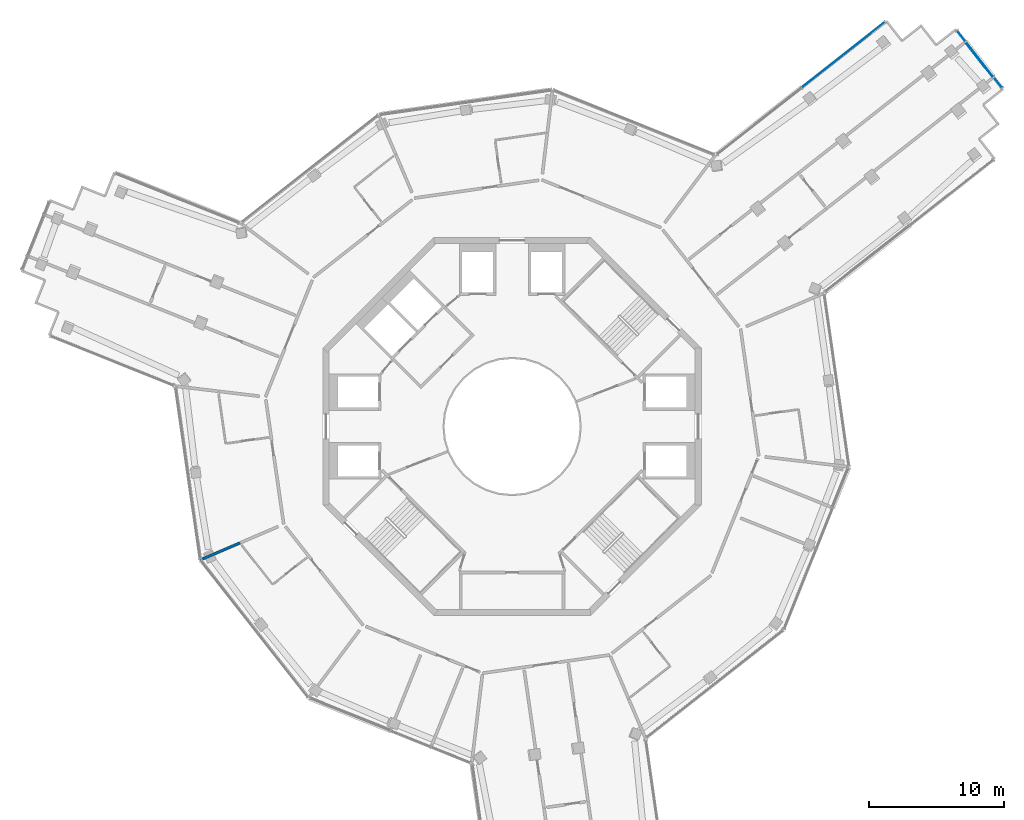
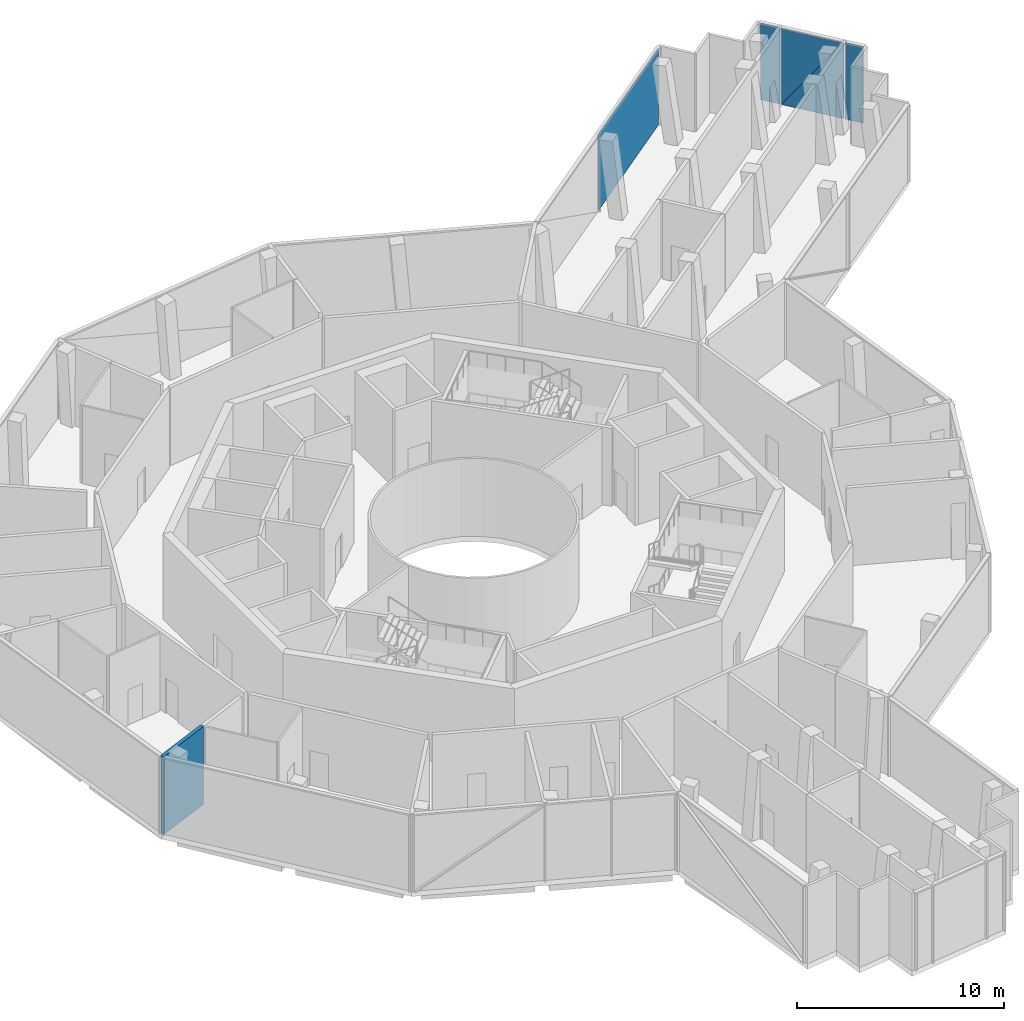
# One storey, part 9 of 19: 5 plates, 1 wall, 2 elements without a shape of their own.
"""IFC4 building model written with IfcOpenShell, lengths in metres."""

import ifcopenshell
import ifcopenshell.guid

model = None  # the IFC model being written
_history = None  # IfcOwnerHistory: only IFC2X3 demands one
_inside = {}  # id of a spatial element -> (the spatial element, [elements in it])
_under = {}  # id of a project, library or spatial element -> (it, [spatial elements below it])
_declared = {}  # id of a project -> (the project, [libraries it declares])
_typed = {}  # id of a type object -> (the type object, [elements of that type])
_made_of = {}  # id of a material, layer set ... -> (it, [elements and type objects made of it])


def new_model(schema):
    """Start an empty IFC model of exactly this schema.

    Asked for "IFC4X3", IfcOpenShell would pick the latest addendum, in which some entities
    have other attributes; the version numbers below select the first issue.
    IFC2X3 requires an IfcOwnerHistory on every rooted entity: one is made here for all.
    """
    global model, _history
    if schema == "IFC4X3":
        model = ifcopenshell.file(schema_version=(4, 3, 0, 0))
    else:
        model = ifcopenshell.file(schema=schema)
    _inside.clear()
    _under.clear()
    _declared.clear()
    _typed.clear()
    _made_of.clear()
    _history = None
    if model.schema == "IFC2X3":
        org = make("IfcOrganization", Name="unknown")
        user = make(
            "IfcPersonAndOrganization",
            ThePerson=make("IfcPerson", FamilyName="unknown"),
            TheOrganization=org,
        )
        app = make(
            "IfcApplication",
            ApplicationDeveloper=org,
            Version="unknown",
            ApplicationFullName="unknown",
            ApplicationIdentifier="unknown",
        )
        _history = make(
            "IfcOwnerHistory",
            OwningUser=user,
            OwningApplication=app,
            ChangeAction="ADDED",
            CreationDate=0,
        )
    return model


def make(cls, **values):
    """One entity of the class cls with the attributes given. An attribute that is None is left unset."""
    return model.create_entity(
        cls, **{name: value for name, value in values.items() if value is not None}
    )


def rooted(cls, **values):
    """An entity with a GlobalId (a new one), such as an element, a storey or a relation."""
    return make(cls, GlobalId=ifcopenshell.guid.new(), OwnerHistory=_history, **values)


def si_unit(unit_type, name, prefix=None):
    """IfcSIUnit, for example si_unit("LENGTHUNIT", "METRE", prefix="MILLI")."""
    return make("IfcSIUnit", UnitType=unit_type, Prefix=prefix, Name=name)


def assignment(units):
    """IfcUnitAssignment: the units of a project."""
    return None if units is None else make("IfcUnitAssignment", Units=units)


def point(xyz):
    """IfcCartesianPoint."""
    return None if xyz is None else make("IfcCartesianPoint", Coordinates=xyz)


def direction(xyz):
    """IfcDirection."""
    return None if xyz is None else make("IfcDirection", DirectionRatios=xyz)


def frame(location, z_axis=None, x_axis=None):
    """IfcAxis2Placement3D, a coordinate frame: its origin and axes. An axis left out is left unset."""
    return make(
        "IfcAxis2Placement3D",
        Location=point(location),
        Axis=direction(z_axis),
        RefDirection=direction(x_axis),
    )


def frame_2d(location, x_axis=None):
    """IfcAxis2Placement2D, a coordinate frame in the plane: its origin and x axis."""
    return make(
        "IfcAxis2Placement2D", Location=point(location), RefDirection=direction(x_axis)
    )


def origin():
    """The frame at (0, 0, 0) with its axes left unset."""
    return frame((0.0, 0.0, 0.0))


def origin_2d():
    """The frame at (0, 0) in the plane with its x axis left unset."""
    return frame_2d((0.0, 0.0))


def place(relative_to, where):
    """IfcLocalPlacement: puts the frame where relative to a parent placement (None: the world)."""
    return make(
        "IfcLocalPlacement", PlacementRelTo=relative_to, RelativePlacement=where
    )


def context(
    kind, dimensions, precision=None, world=None, true_north=None, identifier=None
):
    """IfcGeometricRepresentationContext, for example the 3D "Model" context."""
    return make(
        "IfcGeometricRepresentationContext",
        ContextIdentifier=identifier,
        ContextType=kind,
        CoordinateSpaceDimension=dimensions,
        Precision=precision,
        WorldCoordinateSystem=world,
        TrueNorth=true_north,
    )


def subcontext(parent, identifier, kind, view, scale=None):
    """IfcGeometricRepresentationSubContext, for example "Body" below "Model"."""
    return make(
        "IfcGeometricRepresentationSubContext",
        ContextIdentifier=identifier,
        ContextType=kind,
        ParentContext=parent,
        TargetScale=scale,
        TargetView=view,
    )


def project(units=None, contexts=None):
    """IfcProject with its units and contexts."""
    return rooted(
        "IfcProject",
        Name="project",
        RepresentationContexts=contexts,
        UnitsInContext=assignment(units),
    )


def spatial(cls, under=None, at=None, **own):
    """A site, building, storey or space (cls), placed at a placement, below another one or the project."""
    s = rooted(cls, ObjectPlacement=at, **own)
    if under is not None:
        _under.setdefault(under.id(), (under, []))[1].append(s)
    return s


def polyline(points):
    """IfcPolyline through the points."""
    return make("IfcPolyline", Points=[point(p) for p in points])


def profile(cls, at=None, kind="AREA", **sizes):
    """A parametric profile (cls). Its sizes go by their IFC names, for example OverallWidth=200.0."""
    return make(cls, ProfileType=kind, Position=at, **sizes)


def rectangle(**sizes):
    """IfcRectangleProfileDef."""
    return profile("IfcRectangleProfileDef", **sizes)


def outline(outer, holes=None, kind="AREA"):
    """IfcArbitraryClosedProfileDef: a profile drawn as a closed curve; with holes, ...WithVoids."""
    if holes is None:
        return make("IfcArbitraryClosedProfileDef", ProfileType=kind, OuterCurve=outer)
    return make(
        "IfcArbitraryProfileDefWithVoids",
        ProfileType=kind,
        OuterCurve=outer,
        InnerCurves=holes,
    )


def extrude(swept, where, along, depth):
    """IfcExtrudedAreaSolid: the profile swept, set in the frame where, extruded along a direction by depth."""
    return make(
        "IfcExtrudedAreaSolid",
        SweptArea=swept,
        Position=where,
        ExtrudedDirection=direction(along),
        Depth=depth,
    )


def shape(context_of_items, identifier, shape_type, items):
    """IfcShapeRepresentation: the items that make up one representation, for example the "Body"."""
    return make(
        "IfcShapeRepresentation",
        ContextOfItems=context_of_items,
        RepresentationIdentifier=identifier,
        RepresentationType=shape_type,
        Items=items,
    )


def material(Name=None, Category=None):
    """IfcMaterial."""
    return make("IfcMaterial", Name=Name, Category=Category)


def layer(
    of_material, thickness, ventilated=None, Name=None, Category=None, Priority=None
):
    """IfcMaterialLayer: one layer of a wall or slab, of a material (None: an air gap)."""
    return make(
        "IfcMaterialLayer",
        Material=of_material,
        LayerThickness=thickness,
        IsVentilated=ventilated,
        Name=Name,
        Category=Category,
        Priority=Priority,
    )


def layer_set(layers, Name=None):
    """IfcMaterialLayerSet."""
    return make("IfcMaterialLayerSet", MaterialLayers=layers, LayerSetName=Name)


def made_of(thing, what):
    """Note that an element or type object is made of a material, layer set ...; save() writes the relation."""
    if what is not None:
        _made_of.setdefault(what.id(), (what, []))[1].append(thing)
    return thing


def type_object(cls, material=None, **own):
    """A type object (cls), such as IfcWallType, which elements share."""
    return made_of(rooted(cls, **own), material)


def element(
    cls,
    number,
    at=None,
    inside=None,
    cuts=None,
    type_object=None,
    material=None,
    context=None,
    identifier="Body",
    shape_type=None,
    held_by="IfcProductDefinitionShape",
    body=None,
    shapes=None,
    **own,
):
    """One element of the class cls, such as IfcWall. Its Tag is "e" and its number.

    at: its placement. inside: the storey or other place that contains it. cuts: it is an
    opening in that element (IfcRelVoidsElement). A single representation is given by context,
    identifier, shape_type and body (its items); several are given by shapes. held_by: the class
    of the entity that holds the representations. save() writes the other relations.
    """
    e = rooted(cls, Tag="e%d" % number, ObjectPlacement=at, **own)
    if body is not None:
        shapes = [shape(context, identifier, shape_type, body)]
    if shapes is not None:
        e.Representation = make(held_by, Representations=shapes)
    if inside is not None:
        _inside.setdefault(inside.id(), (inside, []))[1].append(e)
    if cuts is not None:
        rooted(
            "IfcRelVoidsElement", RelatingBuildingElement=cuts, RelatedOpeningElement=e
        )
    if type_object is not None:
        _typed.setdefault(type_object.id(), (type_object, []))[1].append(e)
    return made_of(e, material)


def aggregate(whole, parts):
    """IfcRelAggregates: a whole, such as a stair, and the parts it consists of."""
    return rooted("IfcRelAggregates", RelatingObject=whole, RelatedObjects=parts)


def save(model, path):
    """Write the relations noted so far, then the file.

    IfcRelAggregates (storeys below a building ...), IfcRelContainedInSpatialStructure (elements
    in a storey), IfcRelDefinesByType, IfcRelAssociatesMaterial and IfcRelDeclares: one each for
    every whole, place, type object, material and project.
    """
    for whole, parts in _under.values():
        aggregate(whole, parts)
    for where, things in _inside.values():
        rooted(
            "IfcRelContainedInSpatialStructure",
            RelatedElements=things,
            RelatingStructure=where,
        )
    for kind, things in _typed.values():
        rooted("IfcRelDefinesByType", RelatedObjects=things, RelatingType=kind)
    for what, things in _made_of.values():
        rooted("IfcRelAssociatesMaterial", RelatedObjects=things, RelatingMaterial=what)
    for by, libraries in _declared.values():
        rooted("IfcRelDeclares", RelatingContext=by, RelatedDefinitions=libraries)
    model.write(path)


model = new_model("IFC4")

# Units and contexts
model_context = context("Model", 3, precision=1e-05, world=origin(), true_north=direction((0.0, 1.0)))
body_context = subcontext(model_context, "Body", "Model", "MODEL_VIEW")
ifc_project = project(units=[si_unit("LENGTHUNIT", "METRE"), si_unit("AREAUNIT", "SQUARE_METRE"), si_unit("VOLUMEUNIT", "CUBIC_METRE"), si_unit("PLANEANGLEUNIT", "RADIAN"), si_unit("MASSUNIT", "GRAM", prefix="KILO")], contexts=[model_context])

# Site, building, storey
site_placement = place(None, origin())
site = spatial("IfcSite", under=ifc_project, at=site_placement, CompositionType="ELEMENT")
building_placement = place(site_placement, origin())
building = spatial("IfcBuilding", under=site, at=building_placement, Name="Verdalira Terraces Hotel", CompositionType="ELEMENT")
storey_placement = place(building_placement, frame((0.0, 0.0, 310.0)))
storey = spatial("IfcBuildingStorey", under=building, at=storey_placement, Name="L77", CompositionType="ELEMENT", Elevation=310.0)

# Curtain wall, plates
ifc_material_1 = material(Name="Clear glass", Category="glass")
ifc_layer_1 = layer(ifc_material_1, 0.280029296875)
ifc_layer_set_1 = layer_set([ifc_layer_1], Name="CW6 curtain wall")
curtain_wall_type = type_object("IfcCurtainWallType", Name="CW6 curtain wall", PredefinedType="NOTDEFINED", material=ifc_layer_set_1)
curtain_wall_1_placement = place(storey_placement, origin())
curtain_wall_1 = element("IfcCurtainWall", 1, at=curtain_wall_1_placement, inside=storey, type_object=curtain_wall_type, Name="CW6 curtain wall L77 edge 33", PredefinedType="NOTDEFINED")
ifc_material_2 = material(Name="Clear glass", Category="glass")
ifc_layer_2 = layer(ifc_material_2, 0.050048828125)
ifc_layer_set_2 = layer_set([ifc_layer_2], Name="CW6 glass unit 50")
plate_type = type_object("IfcPlateType", Name="CW6 glass unit 50", PredefinedType="CURTAIN_PANEL", material=ifc_layer_set_2)
plate_1_placement = place(storey_placement, frame((35.948486, 25.449219, 0.0), z_axis=(0.0, 0.0, 1.0), x_axis=(-0.617859613, 0.786288432, 0.0)))
plate_1 = element("IfcPlate", 2, at=plate_1_placement, type_object=plate_type, Name="CW6 glass unit", PredefinedType="CURTAIN_PANEL", context=body_context, shape_type="SweptSolid", body=[
    extrude(rectangle(XDim=0.938477, YDim=0.050049, at=origin_2d()), origin(), (0.0, 0.0, 1.0), 4.51001),
])
plate_2_placement = place(storey_placement, frame((34.582031, 27.147705, 2.254883), z_axis=(0.786288432, 0.617859613, 0.0), x_axis=(-0.617859613, 0.786288432, 0.0)))
plate_2 = element("IfcPlate", 3, at=plate_2_placement, type_object=plate_type, Name="CW6 glass unit", PredefinedType="CURTAIN_PANEL", context=body_context, shape_type="SweptSolid", body=[
    extrude(outline(polyline([(-1.630371, -2.254883), (1.630371, -2.254883), (-1.630371, 2.254883), (-1.630371, -2.254883)])), origin(), (0.0, 0.0, 1.0), 0.050049),
])
plate_3_placement = place(storey_placement, frame((34.541992, 27.116211, 2.254883), z_axis=(0.786288432, 0.617859613, 0.0), x_axis=(-0.617859613, 0.786288432, 0.0)))
plate_3 = element("IfcPlate", 4, at=plate_3_placement, type_object=plate_type, Name="CW6 glass unit", PredefinedType="CURTAIN_PANEL", context=body_context, shape_type="SweptSolid", body=[
    extrude(outline(polyline([(1.630371, -2.254883), (1.630371, 2.254883), (-1.630371, 2.254883), (1.630371, -2.254883)])), origin(), (0.0, 0.0, 1.0), 0.050049),
])
plate_4_placement = place(storey_placement, frame((33.242188, 28.893311, 0.0), z_axis=(0.0, 0.0, 1.0), x_axis=(-0.617859613, 0.786288432, 0.0)))
plate_4 = element("IfcPlate", 5, at=plate_4_placement, type_object=plate_type, Name="CW6 glass unit", PredefinedType="CURTAIN_PANEL", context=body_context, shape_type="SweptSolid", body=[
    extrude(rectangle(XDim=0.980957, YDim=0.050049, at=origin_2d()), origin(), (0.0, 0.0, 1.0), 4.51001),
])
aggregate(curtain_wall_1, [plate_1, plate_2, plate_3, plate_4])

# Curtain wall, plate
curtain_wall_2_placement = place(storey_placement, origin())
curtain_wall_2 = element("IfcCurtainWall", 6, at=curtain_wall_2_placement, inside=storey, type_object=curtain_wall_type, Name="CW6 curtain wall L77 edge 38", PredefinedType="NOTDEFINED")
plate_5_placement = place(storey_placement, frame((24.508545, 27.512451, 0.0), z_axis=(0.0, 0.0, 1.0), x_axis=(-0.786288432, -0.617859613, 0.0)))
plate_5 = element("IfcPlate", 7, at=plate_5_placement, type_object=plate_type, Name="CW6 glass unit", PredefinedType="CURTAIN_PANEL", context=body_context, shape_type="SweptSolid", body=[
    extrude(rectangle(XDim=7.800781, YDim=0.050049, at=origin_2d()), origin(), (0.0, 0.0, 1.0), 4.51001),
])
aggregate(curtain_wall_2, [plate_5])

# Wall
ifc_material_3 = material(Name="Fire-rated gypsum board wall")
ifc_layer_3 = layer(ifc_material_3, 0.199951171875)
ifc_layer_set_3 = layer_set([ifc_layer_3], Name="Demising wall 200 mm")
wall_type = type_object("IfcWallType", Name="Demising wall 200 mm", PredefinedType="SOLIDWALL", material=ifc_layer_set_3)
wall_placement = place(storey_placement, frame((-20.137451, -8.614258, 0.0), z_axis=(0.0, 0.0, 1.0), x_axis=(-0.919423988, -0.39326776, 0.0)))
element("IfcWall", 8, at=wall_placement, inside=storey, type_object=wall_type, Name="Demising wall", PredefinedType="SOLIDWALL", context=body_context, shape_type="SweptSolid", body=[
    extrude(rectangle(XDim=3.211426, YDim=0.199951, at=frame_2d((1.605713, 0.0))), origin(), (0.0, 0.0, 1.0), 4.600098),
])

save(model, "model.ifc")
